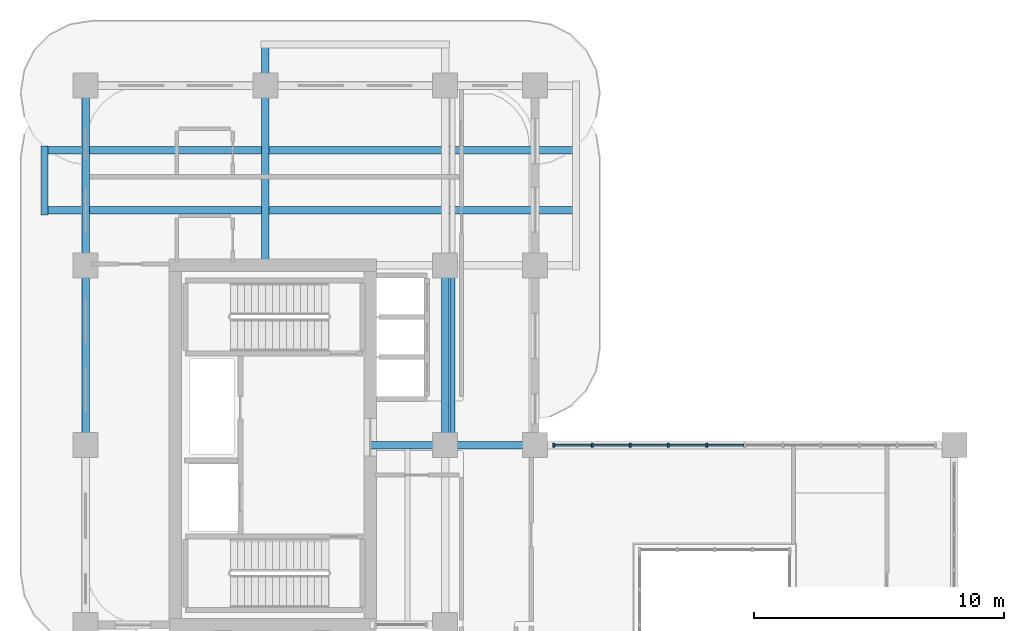
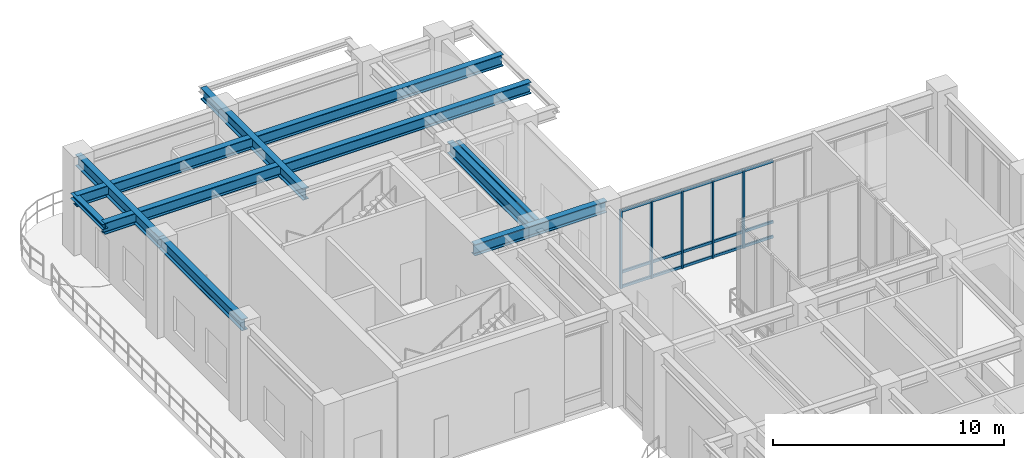
# One storey, part 5 of 21: 20 members, 9 beams, 1 element without a shape of its own.
"""IFC4 building model written with IfcOpenShell, lengths in metres."""

from ifc_helpers import new_model, si_unit, derived_unit, direction, frame, origin, origin_2d, place, context, subcontext, project, spatial, rectangle, i_section, extrude, source, transform, mapped, material, layer, layer_set, material_profile, profile_set, type_object, type_shapes, element, aggregate, save


model = new_model("IFC4")

# Units and contexts
model_context = context("Model", 3, precision=1e-05, world=origin(), true_north=direction((0.0, 1.0)))
body_context = subcontext(model_context, "Body", "Model", "MODEL_VIEW")
ifc_project = project(units=[si_unit("LENGTHUNIT", "METRE"), si_unit("AREAUNIT", "SQUARE_METRE"), si_unit("VOLUMEUNIT", "CUBIC_METRE"), si_unit("PLANEANGLEUNIT", "RADIAN"), si_unit("MASSUNIT", "GRAM", prefix="KILO"), si_unit("THERMODYNAMICTEMPERATUREUNIT", "KELVIN"), si_unit("POWERUNIT", "WATT"), derived_unit("THERMALTRANSMITTANCEUNIT", [(si_unit("POWERUNIT", "WATT"), 1), (si_unit("AREAUNIT", "SQUARE_METRE"), -1), (si_unit("THERMODYNAMICTEMPERATUREUNIT", "KELVIN"), -1)])], contexts=[model_context])

# Site, building, storey
site_placement = place(None, origin())
site = spatial("IfcSite", under=ifc_project, at=site_placement, CompositionType="ELEMENT")
building_placement = place(site_placement, origin())
building = spatial("IfcBuilding", under=site, at=building_placement, Name="Zahravan Archway Hotel and Residences", CompositionType="ELEMENT")
storey_placement = place(building_placement, frame((0.0, 0.0, 145.10009765625)))
storey = spatial("IfcBuildingStorey", under=building, at=storey_placement, Name="L36", CompositionType="ELEMENT", Elevation=145.10009765625)

# Beams
ifc_material_1 = material(Name="Structural Steel S355JR", Category="steel")
ifc_material_profile_1 = material_profile(ifc_material_1, i_section(OverallWidth=0.280029296875, OverallDepth=0.280029296875, WebThickness=0.010498046875, FlangeThickness=0.01806640625, FilletRadius=0.02392578125, at=origin_2d()), Name="HEB 280", Category="steel")
ifc_profile_set_1 = profile_set([ifc_material_profile_1], Name="Structural Steel S355JR")
beam_type_1 = type_object("IfcBeamType", Name="BM-SPN-HEB280", PredefinedType="SPANDREL", material=ifc_profile_set_1)
shared_shape_1 = source(origin(), body_context, "Body", "SweptSolid", [
    extrude(i_section(OverallWidth=0.280029296875, OverallDepth=0.280029296875, WebThickness=0.010498046875, FlangeThickness=0.01806640625, FilletRadius=0.02392578125, at=origin_2d()), origin(), (0.0, 0.0, 1.0), 2.759765625),
])
beam_1_placement = place(storey_placement, frame((-1.64990234375, 41.6201171875, 4.809814453125), z_axis=(0.0, 1.0, 0.0), x_axis=(-1.0, 0.0, 0.0)))
element("IfcBeam", 1, at=beam_1_placement, inside=storey, type_object=beam_type_1, Name="L37 WB Balcony Edge Spandrel", PredefinedType="SPANDREL", context=body_context, shape_type="MappedRepresentation", body=[
    mapped(shared_shape_1, transform((0.0, 0.0, 0.0), scale=1.0)),
])
ifc_material_profile_2 = material_profile(ifc_material_1, i_section(OverallWidth=0.300048828125, OverallDepth=0.60009765625, WebThickness=0.015380859375, FlangeThickness=0.030029296875, FilletRadius=0.027099609375, at=origin_2d()), Name="HEB 600", Category="steel")
ifc_profile_set_2 = profile_set([ifc_material_profile_2], Name="Structural Steel S355JR")
beam_type_2 = type_object("IfcBeamType", Name="BM-PRI-HEB600", PredefinedType="BEAM", material=ifc_profile_set_2)
shared_shape_2 = source(origin(), body_context, "Body", "SweptSolid", [
    extrude(i_section(OverallWidth=0.300048828125, OverallDepth=0.60009765625, WebThickness=0.015380859375, FlangeThickness=0.030029296875, FilletRadius=0.027099609375, at=origin_2d()), origin(), (0.0, 0.0, 1.0), 7.2001953125),
])
type_shapes(beam_type_2, [shared_shape_2])
for number, where, z_axis, x_axis, name in (
    (2, (0.0, 32.39990234375, 4.64990234375), (0.0, 1.0, 0.0), (-1.0, 0.0, 0.0), "L36 Primary Girder NS-25"),
    (3, (14.39990234375, 32.39990234375, 4.64990234375), (0.0, 1.0, 0.0), (-1.0, 0.0, 0.0), "L36 Primary Girder NS-33"),
):
    element("IfcBeam", number, at=place(storey_placement, frame(where, z_axis=z_axis, x_axis=x_axis)), inside=storey, type_object=beam_type_2, Name=name, PredefinedType="BEAM", context=body_context, shape_type="MappedRepresentation", body=[
        mapped(shared_shape_2, transform((0.0, 0.0, 0.0), scale=1.0)),
    ])
shared_shape_3 = source(origin(), body_context, "Body", "SweptSolid", [
    extrude(i_section(OverallWidth=0.300048828125, OverallDepth=0.60009765625, WebThickness=0.015380859375, FlangeThickness=0.030029296875, FilletRadius=0.027099609375, at=origin_2d()), origin(), (0.0, 0.0, 1.0), 7.199951171875),
])
beam_2_placement = place(storey_placement, frame((0.0, 39.60009765625, 4.64990234375), z_axis=(0.0, 1.0, 0.0), x_axis=(-1.0, 0.0, 0.0)))
element("IfcBeam", 4, at=beam_2_placement, inside=storey, type_object=beam_type_2, Name="L36 Primary Girder NS-26", PredefinedType="BEAM", context=body_context, shape_type="MappedRepresentation", body=[
    mapped(shared_shape_3, transform((0.0, 0.0, 0.0), scale=1.0)),
])
shared_shape_4 = source(origin(), body_context, "Body", "SweptSolid", [
    extrude(i_section(OverallWidth=0.300048828125, OverallDepth=0.60009765625, WebThickness=0.015380859375, FlangeThickness=0.030029296875, FilletRadius=0.027099609375, at=origin_2d()), origin(), (0.0, 0.0, 1.0), 6.60009765625),
])
beam_3_placement = place(storey_placement, frame((11.39990234375, 32.39990234375, 4.64990234375), z_axis=(1.0, 0.0, 0.0), x_axis=(0.0, 1.0, 0.0)))
element("IfcBeam", 5, at=beam_3_placement, inside=storey, type_object=beam_type_2, Name="L36 Primary Girder EW-17", PredefinedType="BEAM", context=body_context, shape_type="MappedRepresentation", body=[
    mapped(shared_shape_4, transform((0.0, 0.0, 0.0), scale=1.0)),
])
shared_shape_5 = source(origin(), body_context, "Body", "SweptSolid", [
    extrude(i_section(OverallWidth=0.300048828125, OverallDepth=0.60009765625, WebThickness=0.015380859375, FlangeThickness=0.030029296875, FilletRadius=0.027099609375, at=origin_2d()), origin(), (0.0, 0.0, 1.0), 21.2998046875),
])
for number, where, z_axis, x_axis, name in (
    (6, (-1.64990234375, 41.800048828125, 4.64990234375), (1.0, 0.0, 0.0), (0.0, 1.0, 0.0), "L36 Primary Girder EW-22"),
    (7, (-1.64990234375, 44.199951171875, 4.64990234375), (1.0, 0.0, 0.0), (0.0, 1.0, 0.0), "L36 Primary Girder EW-23"),
):
    element("IfcBeam", number, at=place(storey_placement, frame(where, z_axis=z_axis, x_axis=x_axis)), inside=storey, type_object=beam_type_2, Name=name, PredefinedType="BEAM", context=body_context, shape_type="MappedRepresentation", body=[
        mapped(shared_shape_5, transform((0.0, 0.0, 0.0), scale=1.0)),
    ])
shared_shape_6 = source(origin(), body_context, "Body", "SweptSolid", [
    extrude(i_section(OverallWidth=0.300048828125, OverallDepth=0.60009765625, WebThickness=0.015380859375, FlangeThickness=0.030029296875, FilletRadius=0.027099609375, at=origin_2d()), origin(), (0.0, 0.0, 1.0), 8.849853515625),
])
beam_4_placement = place(storey_placement, frame((7.199951171875, 39.60009765625, 4.64990234375), z_axis=(0.0, 1.0, 0.0), x_axis=(-1.0, 0.0, 0.0)))
element("IfcBeam", 8, at=beam_4_placement, inside=storey, type_object=beam_type_2, Name="L36 Primary Girder NS-27", PredefinedType="BEAM", context=body_context, shape_type="MappedRepresentation", body=[
    mapped(shared_shape_6, transform((0.0, 0.0, 0.0), scale=1.0)),
])
ifc_material_profile_3 = material_profile(ifc_material_1, i_section(OverallWidth=0.199951171875, OverallDepth=0.5, WebThickness=0.01025390625, FlangeThickness=0.01611328125, FilletRadius=0.02099609375, at=origin_2d()), Name="IPE 500", Category="steel")
ifc_profile_set_3 = profile_set([ifc_material_profile_3], Name="Structural Steel S355JR")
beam_type_3 = type_object("IfcBeamType", Name="BM-JST-IPE500", PredefinedType="JOIST", material=ifc_profile_set_3)
shared_shape_7 = source(origin(), body_context, "Body", "SweptSolid", [
    extrude(i_section(OverallWidth=0.199951171875, OverallDepth=0.5, WebThickness=0.01025390625, FlangeThickness=0.01611328125, FilletRadius=0.02099609375, at=origin_2d()), origin(), (0.0, 0.0, 1.0), 6.90380859375),
])
beam_5_placement = place(storey_placement, frame((14.699951171875, 32.548095703125, 4.699951171875), z_axis=(0.0, 1.0, 0.0), x_axis=(-1.0, 0.0, 0.0)))
element("IfcBeam", 9, at=beam_5_placement, inside=storey, type_object=beam_type_3, Name="L36 Composite Floor Joist 11", PredefinedType="JOIST", context=body_context, shape_type="MappedRepresentation", body=[
    mapped(shared_shape_7, transform((0.0, 0.0, 0.0), scale=1.0)),
])

# Curtain wall, members
ifc_material_2 = material(Name="Bronze-Anodized Unitised Aluminium & Low-E Glass", Category="aluminium")
ifc_layer = layer(ifc_material_2, 0.179931640625, Name="Bronze-Anodized Unitised Aluminium & Low-E Glass", Category="aluminium")
ifc_layer_set = layer_set([ifc_layer], Name="Bronze-Anodized Unitised Aluminium & Low-E Glass")
curtain_wall_type = type_object("IfcCurtainWallType", Name="CW-SBG-2", PredefinedType="NOTDEFINED", material=ifc_layer_set)
curtain_wall_placement = place(storey_placement, origin())
curtain_wall = element("IfcCurtainWall", 10, at=curtain_wall_placement, inside=storey, type_object=curtain_wall_type, Name="L36 Curtain Wall CW-L36-HNG-N-1", PredefinedType="NOTDEFINED")
ifc_material_3 = material(Name="Bronze-Anodized Extruded Aluminium", Category="aluminium")
ifc_material_profile_4 = material_profile(ifc_material_3, rectangle(XDim=0.080078125, YDim=0.139892578125, at=origin_2d()), Name="TRN 80x140", Category="aluminium")
ifc_profile_set_4 = profile_set([ifc_material_profile_4], Name="Bronze-Anodized Extruded Aluminium")
member_type_1 = type_object("IfcMemberType", Name="CWM-TRN-140", PredefinedType="USERDEFINED", material=ifc_profile_set_4)
shared_shape_8 = source(origin(), body_context, "Body", "SweptSolid", [
    extrude(rectangle(XDim=0.080078125, YDim=0.139892578125, at=origin_2d()), origin(), (0.0, 0.0, 1.0), 1.447998046875),
])
member_1_placement = place(storey_placement, frame((18.800048828125, 32.39990234375, 0.06982421875), z_axis=(1.0, 0.0, 0.0), x_axis=(0.0, 1.0, 0.0)))
member_1 = element("IfcMember", 11, at=member_1_placement, type_object=member_type_1, Name="CW-L36-HNG-N-1 Transom 0-1", ObjectType="TRANSOM", PredefinedType="USERDEFINED", context=body_context, shape_type="MappedRepresentation", body=[
    mapped(shared_shape_8, transform((0.0, 0.0, 0.0), scale=1.0)),
])
member_2_placement = place(storey_placement, frame((18.800048828125, 32.39990234375, 0.849853515625), z_axis=(1.0, 0.0, 0.0), x_axis=(0.0, 1.0, 0.0)))
member_2 = element("IfcMember", 12, at=member_2_placement, type_object=member_type_1, Name="CW-L36-HNG-N-1 Transom 0-2", ObjectType="TRANSOM", PredefinedType="USERDEFINED", context=body_context, shape_type="MappedRepresentation", body=[
    mapped(shared_shape_8, transform((0.0, 0.0, 0.0), scale=1.0)),
])
member_3_placement = place(storey_placement, frame((18.800048828125, 32.39990234375, 4.06494140625), z_axis=(1.0, 0.0, 0.0), x_axis=(0.0, 1.0, 0.0)))
member_3 = element("IfcMember", 13, at=member_3_placement, type_object=member_type_1, Name="CW-L36-HNG-N-1 Transom 0-3", ObjectType="TRANSOM", PredefinedType="USERDEFINED", context=body_context, shape_type="MappedRepresentation", body=[
    mapped(shared_shape_8, transform((0.0, 0.0, 0.0), scale=1.0)),
])
member_4_placement = place(storey_placement, frame((20.327880859375, 32.39990234375, 0.06982421875), z_axis=(1.0, 0.0, 0.0), x_axis=(0.0, 1.0, 0.0)))
member_4 = element("IfcMember", 14, at=member_4_placement, type_object=member_type_1, Name="CW-L36-HNG-N-1 Transom 1-1", ObjectType="TRANSOM", PredefinedType="USERDEFINED", context=body_context, shape_type="MappedRepresentation", body=[
    mapped(shared_shape_8, transform((0.0, 0.0, 0.0), scale=1.0)),
])
member_5_placement = place(storey_placement, frame((20.327880859375, 32.39990234375, 0.849853515625), z_axis=(1.0, 0.0, 0.0), x_axis=(0.0, 1.0, 0.0)))
member_5 = element("IfcMember", 15, at=member_5_placement, type_object=member_type_1, Name="CW-L36-HNG-N-1 Transom 1-2", ObjectType="TRANSOM", PredefinedType="USERDEFINED", context=body_context, shape_type="MappedRepresentation", body=[
    mapped(shared_shape_8, transform((0.0, 0.0, 0.0), scale=1.0)),
])
member_6_placement = place(storey_placement, frame((20.327880859375, 32.39990234375, 4.06494140625), z_axis=(1.0, 0.0, 0.0), x_axis=(0.0, 1.0, 0.0)))
member_6 = element("IfcMember", 16, at=member_6_placement, type_object=member_type_1, Name="CW-L36-HNG-N-1 Transom 1-3", ObjectType="TRANSOM", PredefinedType="USERDEFINED", context=body_context, shape_type="MappedRepresentation", body=[
    mapped(shared_shape_8, transform((0.0, 0.0, 0.0), scale=1.0)),
])
member_7_placement = place(storey_placement, frame((21.85595703125, 32.39990234375, 0.06982421875), z_axis=(1.0, 0.0, 0.0), x_axis=(0.0, 1.0, 0.0)))
member_7 = element("IfcMember", 17, at=member_7_placement, type_object=member_type_1, Name="CW-L36-HNG-N-1 Transom 2-1", ObjectType="TRANSOM", PredefinedType="USERDEFINED", context=body_context, shape_type="MappedRepresentation", body=[
    mapped(shared_shape_8, transform((0.0, 0.0, 0.0), scale=1.0)),
])
member_8_placement = place(storey_placement, frame((21.85595703125, 32.39990234375, 0.849853515625), z_axis=(1.0, 0.0, 0.0), x_axis=(0.0, 1.0, 0.0)))
member_8 = element("IfcMember", 18, at=member_8_placement, type_object=member_type_1, Name="CW-L36-HNG-N-1 Transom 2-2", ObjectType="TRANSOM", PredefinedType="USERDEFINED", context=body_context, shape_type="MappedRepresentation", body=[
    mapped(shared_shape_8, transform((0.0, 0.0, 0.0), scale=1.0)),
])
member_9_placement = place(storey_placement, frame((21.85595703125, 32.39990234375, 4.06494140625), z_axis=(1.0, 0.0, 0.0), x_axis=(0.0, 1.0, 0.0)))
member_9 = element("IfcMember", 19, at=member_9_placement, type_object=member_type_1, Name="CW-L36-HNG-N-1 Transom 2-3", ObjectType="TRANSOM", PredefinedType="USERDEFINED", context=body_context, shape_type="MappedRepresentation", body=[
    mapped(shared_shape_8, transform((0.0, 0.0, 0.0), scale=1.0)),
])
member_10_placement = place(storey_placement, frame((23.384033203125, 32.39990234375, 0.06982421875), z_axis=(1.0, 0.0, 0.0), x_axis=(0.0, 1.0, 0.0)))
member_10 = element("IfcMember", 20, at=member_10_placement, type_object=member_type_1, Name="CW-L36-HNG-N-1 Transom 3-1", ObjectType="TRANSOM", PredefinedType="USERDEFINED", context=body_context, shape_type="MappedRepresentation", body=[
    mapped(shared_shape_8, transform((0.0, 0.0, 0.0), scale=1.0)),
])
member_11_placement = place(storey_placement, frame((23.384033203125, 32.39990234375, 0.849853515625), z_axis=(1.0, 0.0, 0.0), x_axis=(0.0, 1.0, 0.0)))
member_11 = element("IfcMember", 21, at=member_11_placement, type_object=member_type_1, Name="CW-L36-HNG-N-1 Transom 3-2", ObjectType="TRANSOM", PredefinedType="USERDEFINED", context=body_context, shape_type="MappedRepresentation", body=[
    mapped(shared_shape_8, transform((0.0, 0.0, 0.0), scale=1.0)),
])
member_12_placement = place(storey_placement, frame((23.384033203125, 32.39990234375, 4.06494140625), z_axis=(1.0, 0.0, 0.0), x_axis=(0.0, 1.0, 0.0)))
member_12 = element("IfcMember", 22, at=member_12_placement, type_object=member_type_1, Name="CW-L36-HNG-N-1 Transom 3-3", ObjectType="TRANSOM", PredefinedType="USERDEFINED", context=body_context, shape_type="MappedRepresentation", body=[
    mapped(shared_shape_8, transform((0.0, 0.0, 0.0), scale=1.0)),
])
member_13_placement = place(storey_placement, frame((24.912109375, 32.39990234375, 0.06982421875), z_axis=(1.0, 0.0, 0.0), x_axis=(0.0, 1.0, 0.0)))
member_13 = element("IfcMember", 23, at=member_13_placement, type_object=member_type_1, Name="CW-L36-HNG-N-1 Transom 4-1", ObjectType="TRANSOM", PredefinedType="USERDEFINED", context=body_context, shape_type="MappedRepresentation", body=[
    mapped(shared_shape_8, transform((0.0, 0.0, 0.0), scale=1.0)),
])
member_14_placement = place(storey_placement, frame((24.912109375, 32.39990234375, 0.849853515625), z_axis=(1.0, 0.0, 0.0), x_axis=(0.0, 1.0, 0.0)))
member_14 = element("IfcMember", 24, at=member_14_placement, type_object=member_type_1, Name="CW-L36-HNG-N-1 Transom 4-2", ObjectType="TRANSOM", PredefinedType="USERDEFINED", context=body_context, shape_type="MappedRepresentation", body=[
    mapped(shared_shape_8, transform((0.0, 0.0, 0.0), scale=1.0)),
])
member_15_placement = place(storey_placement, frame((24.912109375, 32.39990234375, 4.06494140625), z_axis=(1.0, 0.0, 0.0), x_axis=(0.0, 1.0, 0.0)))
member_15 = element("IfcMember", 25, at=member_15_placement, type_object=member_type_1, Name="CW-L36-HNG-N-1 Transom 4-3", ObjectType="TRANSOM", PredefinedType="USERDEFINED", context=body_context, shape_type="MappedRepresentation", body=[
    mapped(shared_shape_8, transform((0.0, 0.0, 0.0), scale=1.0)),
])
ifc_material_profile_5 = material_profile(ifc_material_3, rectangle(XDim=0.080078125, YDim=0.159912109375, at=origin_2d()), Name="MUL 80x160", Category="aluminium")
ifc_profile_set_5 = profile_set([ifc_material_profile_5], Name="Bronze-Anodized Extruded Aluminium")
member_type_2 = type_object("IfcMemberType", Name="CWM-MUL-160", PredefinedType="MULLION", material=ifc_profile_set_5)
shared_shape_9 = source(origin(), body_context, "Body", "SweptSolid", [
    extrude(rectangle(XDim=0.080078125, YDim=0.159912109375, at=origin_2d()), origin(), (0.0, 0.0, 1.0), 4.135009765625),
])
member_16_placement = place(storey_placement, frame((18.760009765625, 32.39990234375, 0.0), z_axis=(0.0, 0.0, 1.0), x_axis=(1.0, 0.0, 0.0)))
member_16 = element("IfcMember", 26, at=member_16_placement, type_object=member_type_2, Name="CW-L36-HNG-N-1 Mullion 0", PredefinedType="MULLION", context=body_context, shape_type="MappedRepresentation", body=[
    mapped(shared_shape_9, transform((0.0, 0.0, 0.0), scale=1.0)),
])
member_17_placement = place(storey_placement, frame((20.2880859375, 32.39990234375, 0.0), z_axis=(0.0, 0.0, 1.0), x_axis=(1.0, 0.0, 0.0)))
member_17 = element("IfcMember", 27, at=member_17_placement, type_object=member_type_2, Name="CW-L36-HNG-N-1 Mullion 1", PredefinedType="MULLION", context=body_context, shape_type="MappedRepresentation", body=[
    mapped(shared_shape_9, transform((0.0, 0.0, 0.0), scale=1.0)),
])
member_18_placement = place(storey_placement, frame((21.81591796875, 32.39990234375, 0.0), z_axis=(0.0, 0.0, 1.0), x_axis=(1.0, 0.0, 0.0)))
member_18 = element("IfcMember", 28, at=member_18_placement, type_object=member_type_2, Name="CW-L36-HNG-N-1 Mullion 2", PredefinedType="MULLION", context=body_context, shape_type="MappedRepresentation", body=[
    mapped(shared_shape_9, transform((0.0, 0.0, 0.0), scale=1.0)),
])
member_19_placement = place(storey_placement, frame((23.343994140625, 32.39990234375, 0.0), z_axis=(0.0, 0.0, 1.0), x_axis=(1.0, 0.0, 0.0)))
member_19 = element("IfcMember", 29, at=member_19_placement, type_object=member_type_2, Name="CW-L36-HNG-N-1 Mullion 3", PredefinedType="MULLION", context=body_context, shape_type="MappedRepresentation", body=[
    mapped(shared_shape_9, transform((0.0, 0.0, 0.0), scale=1.0)),
])
member_20_placement = place(storey_placement, frame((24.8720703125, 32.39990234375, 0.0), z_axis=(0.0, 0.0, 1.0), x_axis=(1.0, 0.0, 0.0)))
member_20 = element("IfcMember", 30, at=member_20_placement, type_object=member_type_2, Name="CW-L36-HNG-N-1 Mullion 4", PredefinedType="MULLION", context=body_context, shape_type="MappedRepresentation", body=[
    mapped(shared_shape_9, transform((0.0, 0.0, 0.0), scale=1.0)),
])
aggregate(curtain_wall, [member_16, member_17, member_18, member_19, member_20, member_1, member_2, member_3, member_4, member_5, member_6, member_7, member_8, member_9, member_10, member_11, member_12, member_13, member_14, member_15])

save(model, "model.ifc")
